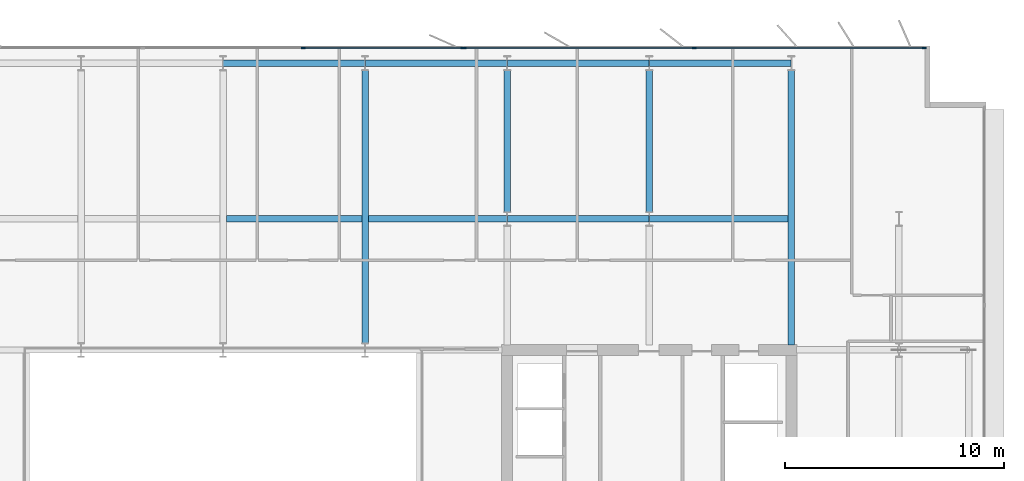
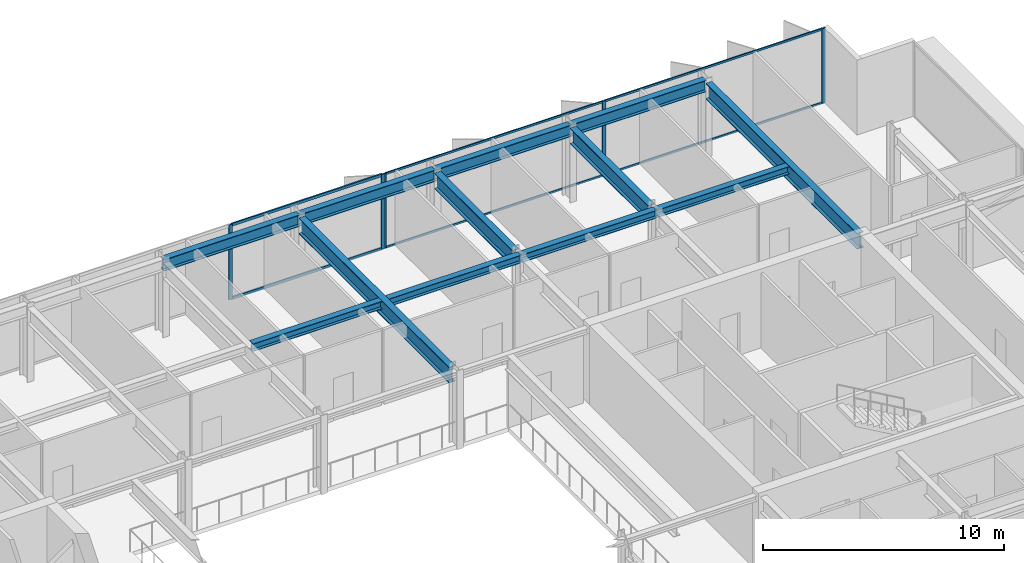
# One storey, part 9 of 20: 12 beams, 11 members, 2 elements without a shape of their own.
"""IFC4 building model written with IfcOpenShell, lengths in metres."""

from ifc_helpers import new_model, si_unit, direction, frame, origin, origin_2d, place, context, subcontext, project, spatial, rectangle, i_section, extrude, material, layer, layer_set, material_profile, profile_set, type_object, element, aggregate, save


model = new_model("IFC4")

# Units and contexts
model_context = context("Model", 3, precision=1e-05, world=origin(), true_north=direction((0.0, 1.0)))
body_context = subcontext(model_context, "Body", "Model", "MODEL_VIEW")
ifc_project = project(units=[si_unit("LENGTHUNIT", "METRE"), si_unit("AREAUNIT", "SQUARE_METRE"), si_unit("VOLUMEUNIT", "CUBIC_METRE"), si_unit("PLANEANGLEUNIT", "RADIAN"), si_unit("MASSUNIT", "GRAM", prefix="KILO")], contexts=[model_context])

# Site, building, storey
site_placement = place(None, origin())
site = spatial("IfcSite", under=ifc_project, at=site_placement, CompositionType="ELEMENT")
building_placement = place(site_placement, origin())
building = spatial("IfcBuilding", under=site, at=building_placement, Name="Putna Gate Headquarters", CompositionType="ELEMENT")
storey_placement = place(building_placement, frame((0.0, 0.0, 298.39990234375)))
storey = spatial("IfcBuildingStorey", under=building, at=storey_placement, Name="L75", CompositionType="ELEMENT", Elevation=298.39990234375)

# Beams
ifc_material_1 = material(Name="Steel S355J2", Category="steel")
ifc_material_profile_1 = material_profile(ifc_material_1, i_section(OverallWidth=0.300048828125, OverallDepth=0.800048828125, WebThickness=0.017578125, FlangeThickness=0.032958984375, at=origin_2d()), Name="Steel S355J2")
ifc_profile_set_1 = profile_set([ifc_material_profile_1], Name="Steel S355J2")
beam_type_1 = type_object("IfcBeamType", Name="BM-GIRD-P-HEB800", PredefinedType="USERDEFINED", material=ifc_profile_set_1)
beam_1_placement = place(storey_placement, frame((45.5, 33.322021484375, 3.38818359375), z_axis=(0.0, 1.0, 0.0), x_axis=(-1.0, 0.0, 0.0)))
element("IfcBeam", 1, at=beam_1_placement, inside=storey, type_object=beam_type_1, Name="L75 North Primary Girder X45", ObjectType="GIRDER", PredefinedType="USERDEFINED", context=body_context, shape_type="SweptSolid", body=[
    extrude(i_section(OverallWidth=0.300048828125, OverallDepth=0.800048828125, WebThickness=0.017578125, FlangeThickness=0.032958984375, at=origin_2d()), origin(), (0.0, 0.0, 1.0), 12.47607421875),
])
for number, where, z_axis, x_axis, name in (
    (2, (52.0, 39.322021484375, 3.38818359375), (0.0, 1.0, 0.0), (-1.0, 0.0, 0.0), "L75 North Primary Girder X52-2"),
    (3, (58.5, 39.322021484375, 3.38818359375), (0.0, 1.0, 0.0), (-1.0, 0.0, 0.0), "L75 North Primary Girder X58-2"),
):
    element("IfcBeam", number, at=place(storey_placement, frame(where, z_axis=z_axis, x_axis=x_axis)), inside=storey, type_object=beam_type_1, Name=name, ObjectType="GIRDER", PredefinedType="USERDEFINED", context=body_context, shape_type="SweptSolid", body=[
        extrude(i_section(OverallWidth=0.300048828125, OverallDepth=0.800048828125, WebThickness=0.017578125, FlangeThickness=0.032958984375, at=origin_2d()), origin(), (0.0, 0.0, 1.0), 6.47607421875),
    ])
beam_2_placement = place(storey_placement, frame((65.0, 33.235107421875, 3.38818359375), z_axis=(0.0, 1.0, 0.0), x_axis=(-1.0, 0.0, 0.0)))
element("IfcBeam", 4, at=beam_2_placement, inside=storey, type_object=beam_type_1, Name="L75 North Primary Girder X65", ObjectType="GIRDER", PredefinedType="USERDEFINED", context=body_context, shape_type="SweptSolid", body=[
    extrude(i_section(OverallWidth=0.300048828125, OverallDepth=0.800048828125, WebThickness=0.017578125, FlangeThickness=0.032958984375, at=origin_2d()), origin(), (0.0, 0.0, 1.0), 12.56298828125),
])
ifc_material_profile_2 = material_profile(ifc_material_1, i_section(OverallWidth=0.300048828125, OverallDepth=0.389892578125, WebThickness=0.010986328125, FlangeThickness=0.01904296875, at=origin_2d()), Name="Steel S355J2")
ifc_profile_set_2 = profile_set([ifc_material_profile_2], Name="Steel S355J2")
beam_type_2 = type_object("IfcBeamType", Name="BM-SEC-Z5-HEA400", PredefinedType="BEAM", material=ifc_profile_set_2)
beam_3_placement = place(storey_placement, frame((39.154052734375, 39.0, 3.593017578125), z_axis=(1.0, 0.0, 0.0), x_axis=(0.0, 1.0, 0.0)))
element("IfcBeam", 5, at=beam_3_placement, inside=storey, type_object=beam_type_2, Name="L75 North Secondary Beam 5", PredefinedType="BEAM", context=body_context, shape_type="SweptSolid", body=[
    extrude(i_section(OverallWidth=0.300048828125, OverallDepth=0.389892578125, WebThickness=0.010986328125, FlangeThickness=0.01904296875, at=origin_2d()), origin(), (0.0, 0.0, 1.0), 6.19189453125),
])
beam_4_placement = place(storey_placement, frame((45.654052734375, 39.0, 3.593017578125), z_axis=(1.0, 0.0, 0.0), x_axis=(0.0, 1.0, 0.0)))
element("IfcBeam", 6, at=beam_4_placement, inside=storey, type_object=beam_type_2, Name="L75 North Secondary Beam 6", PredefinedType="BEAM", context=body_context, shape_type="SweptSolid", body=[
    extrude(i_section(OverallWidth=0.300048828125, OverallDepth=0.389892578125, WebThickness=0.010986328125, FlangeThickness=0.01904296875, at=origin_2d()), origin(), (0.0, 0.0, 1.0), 6.33984375),
])
beam_5_placement = place(storey_placement, frame((52.006103515625, 39.0, 3.593017578125), z_axis=(1.0, 0.0, 0.0), x_axis=(0.0, 1.0, 0.0)))
element("IfcBeam", 7, at=beam_5_placement, inside=storey, type_object=beam_type_2, Name="L75 North Secondary Beam 7", PredefinedType="BEAM", context=body_context, shape_type="SweptSolid", body=[
    extrude(i_section(OverallWidth=0.300048828125, OverallDepth=0.389892578125, WebThickness=0.010986328125, FlangeThickness=0.01904296875, at=origin_2d()), origin(), (0.0, 0.0, 1.0), 6.48779296875),
])
beam_6_placement = place(storey_placement, frame((58.506103515625, 39.0, 3.593017578125), z_axis=(1.0, 0.0, 0.0), x_axis=(0.0, 1.0, 0.0)))
element("IfcBeam", 8, at=beam_6_placement, inside=storey, type_object=beam_type_2, Name="L75 North Secondary Beam 8", PredefinedType="BEAM", context=body_context, shape_type="SweptSolid", body=[
    extrude(i_section(OverallWidth=0.300048828125, OverallDepth=0.389892578125, WebThickness=0.010986328125, FlangeThickness=0.01904296875, at=origin_2d()), origin(), (0.0, 0.0, 1.0), 6.33984375),
])
ifc_material_profile_3 = material_profile(ifc_material_1, i_section(OverallWidth=0.300048828125, OverallDepth=0.590087890625, WebThickness=0.012939453125, FlangeThickness=0.02490234375, at=origin_2d()), Name="Steel S355J2")
ifc_profile_set_3 = profile_set([ifc_material_profile_3], Name="Steel S355J2")
beam_type_3 = type_object("IfcBeamType", Name="BM-SPAN-Z4-HEA600", PredefinedType="SPANDREL", material=ifc_profile_set_3)
for number, where, z_axis, x_axis, name in (
    (9, (39.006103515625, 46.1201171875, 3.4931640625), (1.0, 0.0, 0.0), (0.0, 1.0, 0.0), "L75 N Perimeter Spandrel 5"),
    (10, (45.506103515625, 46.1201171875, 3.4931640625), (1.0, 0.0, 0.0), (0.0, 1.0, 0.0), "L75 N Perimeter Spandrel 6"),
    (11, (52.006103515625, 46.1201171875, 3.4931640625), (1.0, 0.0, 0.0), (0.0, 1.0, 0.0), "L75 N Perimeter Spandrel 7"),
    (12, (58.506103515625, 46.1201171875, 3.4931640625), (1.0, 0.0, 0.0), (0.0, 1.0, 0.0), "L75 N Perimeter Spandrel 8"),
):
    element("IfcBeam", number, at=place(storey_placement, frame(where, z_axis=z_axis, x_axis=x_axis)), inside=storey, type_object=beam_type_3, Name=name, PredefinedType="SPANDREL", context=body_context, shape_type="SweptSolid", body=[
        extrude(i_section(OverallWidth=0.300048828125, OverallDepth=0.590087890625, WebThickness=0.012939453125, FlangeThickness=0.02490234375, at=origin_2d()), origin(), (0.0, 0.0, 1.0), 6.48779296875),
    ])

# Curtain wall, members
ifc_material_2 = material(Name="Anodised bronze aluminium curtain wall", Category="aluminium")
ifc_layer_1 = layer(ifc_material_2, 0.179931640625)
ifc_layer_set_1 = layer_set([ifc_layer_1], Name="Anodised bronze aluminium curtain wall")
curtain_wall_type_1 = type_object("IfcCurtainWallType", Name="CW-SYS-Z5", PredefinedType="USERDEFINED", material=ifc_layer_set_1)
curtain_wall_1_placement = place(storey_placement, origin())
curtain_wall_1 = element("IfcCurtainWall", 13, at=curtain_wall_1_placement, inside=storey, type_object=curtain_wall_type_1, Name="L75 North East Curtain Wall", ObjectType="STICK CURTAIN WALL", PredefinedType="USERDEFINED")
ifc_material_3 = material(Name="Anodised bronze aluminium EN AW-6060", Category="aluminium")
ifc_material_profile_4 = material_profile(ifc_material_3, rectangle(XDim=0.070068359375, YDim=0.179931640625, at=origin_2d()), Name="Anodised bronze aluminium EN AW-6060")
ifc_profile_set_4 = profile_set([ifc_material_profile_4], Name="Anodised bronze aluminium EN AW-6060")
member_type_1 = type_object("IfcMemberType", Name="MULL-CWM-5", PredefinedType="MULLION", material=ifc_profile_set_4)
member_1_placement = place(storey_placement, frame((50.034912109375, 46.820068359375, 0.0), z_axis=(0.0, 0.0, 1.0), x_axis=(0.0, 1.0, 0.0)))
member_1 = element("IfcMember", 14, at=member_1_placement, type_object=member_type_1, Name="CWS-5 mullion 1", PredefinedType="MULLION", context=body_context, shape_type="SweptSolid", body=[
    extrude(rectangle(XDim=0.070068359375, YDim=0.179931640625, at=origin_2d()), origin(), (0.0, 0.0, 1.0), 3.7880859375),
])
member_2_placement = place(storey_placement, frame((60.555419921875, 46.820068359375, 0.0), z_axis=(0.0, 0.0, 1.0), x_axis=(0.0, 1.0, 0.0)))
member_2 = element("IfcMember", 15, at=member_2_placement, type_object=member_type_1, Name="CWS-5 mullion 2", PredefinedType="MULLION", context=body_context, shape_type="SweptSolid", body=[
    extrude(rectangle(XDim=0.070068359375, YDim=0.179931640625, at=origin_2d()), origin(), (0.0, 0.0, 1.0), 3.7880859375),
])
member_3_placement = place(storey_placement, frame((71.075927734375, 46.820068359375, 0.0), z_axis=(0.0, 0.0, 1.0), x_axis=(0.0, 1.0, 0.0)))
member_3 = element("IfcMember", 16, at=member_3_placement, type_object=member_type_1, Name="CWS-5 mullion 3", PredefinedType="MULLION", context=body_context, shape_type="SweptSolid", body=[
    extrude(rectangle(XDim=0.070068359375, YDim=0.179931640625, at=origin_2d()), origin(), (0.0, 0.0, 1.0), 3.7880859375),
])

ifc_layer_2 = layer(ifc_material_2, 0.179931640625)
ifc_layer_set_2 = layer_set([ifc_layer_2], Name="Anodised bronze aluminium curtain wall")
curtain_wall_type_2 = type_object("IfcCurtainWallType", Name="CW-SYS-ATR", PredefinedType="USERDEFINED", material=ifc_layer_set_2)
curtain_wall_2_placement = place(storey_placement, origin())
curtain_wall_2 = element("IfcCurtainWall", 17, at=curtain_wall_2_placement, inside=storey, type_object=curtain_wall_type_2, Name="L75 North Atrium Clear Glazing", ObjectType="ATRIUM GLAZING", PredefinedType="USERDEFINED")
ifc_material_profile_5 = material_profile(ifc_material_3, rectangle(XDim=0.070068359375, YDim=0.179931640625, at=origin_2d()), Name="Anodised bronze aluminium EN AW-6060")
ifc_profile_set_5 = profile_set([ifc_material_profile_5], Name="Anodised bronze aluminium EN AW-6060")
member_type_2 = type_object("IfcMemberType", Name="MULL-CWM-AT", PredefinedType="MULLION", material=ifc_profile_set_5)
member_4_placement = place(storey_placement, frame((42.666748046875, 46.820068359375, 0.0), z_axis=(0.0, 0.0, 1.0), x_axis=(0.0, 1.0, 0.0)))
member_4 = element("IfcMember", 18, at=member_4_placement, type_object=member_type_2, Name="CWS-AT mullion 3", PredefinedType="MULLION", context=body_context, shape_type="SweptSolid", body=[
    extrude(rectangle(XDim=0.070068359375, YDim=0.179931640625, at=origin_2d()), origin(), (0.0, 0.0, 1.0), 3.7880859375),
])
member_5_placement = place(storey_placement, frame((49.965087890625, 46.820068359375, 0.0), z_axis=(0.0, 0.0, 1.0), x_axis=(0.0, 1.0, 0.0)))
member_5 = element("IfcMember", 19, at=member_5_placement, type_object=member_type_2, Name="CWS-AT mullion 4", PredefinedType="MULLION", context=body_context, shape_type="SweptSolid", body=[
    extrude(rectangle(XDim=0.070068359375, YDim=0.179931640625, at=origin_2d()), origin(), (0.0, 0.0, 1.0), 3.7880859375),
])

# Member
ifc_material_profile_6 = material_profile(ifc_material_3, rectangle(XDim=0.06005859375, YDim=0.10009765625, at=origin_2d()), Name="Anodised bronze aluminium EN AW-6060")
ifc_profile_set_6 = profile_set([ifc_material_profile_6], Name="Anodised bronze aluminium EN AW-6060")
member_type_3 = type_object("IfcMemberType", Name="TRAN-CWT-5", PredefinedType="USERDEFINED", material=ifc_profile_set_6)
member_6_placement = place(storey_placement, frame((50.070068359375, 46.820068359375, 0.030029296875), z_axis=(1.0, 0.0, 0.0), x_axis=(0.0, 1.0, 0.0)))
member_6 = element("IfcMember", 20, at=member_6_placement, type_object=member_type_3, Name="CWS-5 transom 1.1", ObjectType="TRANSOM", PredefinedType="USERDEFINED", context=body_context, shape_type="SweptSolid", body=[
    extrude(rectangle(XDim=0.06005859375, YDim=0.10009765625, at=origin_2d()), origin(), (0.0, 0.0, 1.0), 10.450439453125),
])

member_7_placement = place(storey_placement, frame((50.070068359375, 46.820068359375, 3.758056640625), z_axis=(1.0, 0.0, 0.0), x_axis=(0.0, 1.0, 0.0)))
member_7 = element("IfcMember", 21, at=member_7_placement, type_object=member_type_3, Name="CWS-5 transom 1.2", ObjectType="TRANSOM", PredefinedType="USERDEFINED", context=body_context, shape_type="SweptSolid", body=[
    extrude(rectangle(XDim=0.06005859375, YDim=0.10009765625, at=origin_2d()), origin(), (0.0, 0.0, 1.0), 10.450439453125),
])

member_8_placement = place(storey_placement, frame((60.590576171875, 46.820068359375, 0.030029296875), z_axis=(1.0, 0.0, 0.0), x_axis=(0.0, 1.0, 0.0)))
member_8 = element("IfcMember", 22, at=member_8_placement, type_object=member_type_3, Name="CWS-5 transom 2.1", ObjectType="TRANSOM", PredefinedType="USERDEFINED", context=body_context, shape_type="SweptSolid", body=[
    extrude(rectangle(XDim=0.06005859375, YDim=0.10009765625, at=origin_2d()), origin(), (0.0, 0.0, 1.0), 10.450439453125),
])

member_9_placement = place(storey_placement, frame((60.590576171875, 46.820068359375, 3.758056640625), z_axis=(1.0, 0.0, 0.0), x_axis=(0.0, 1.0, 0.0)))
member_9 = element("IfcMember", 23, at=member_9_placement, type_object=member_type_3, Name="CWS-5 transom 2.2", ObjectType="TRANSOM", PredefinedType="USERDEFINED", context=body_context, shape_type="SweptSolid", body=[
    extrude(rectangle(XDim=0.06005859375, YDim=0.10009765625, at=origin_2d()), origin(), (0.0, 0.0, 1.0), 10.450439453125),
])

aggregate(curtain_wall_1, [member_1, member_2, member_3, member_6, member_7, member_8, member_9])

ifc_material_profile_7 = material_profile(ifc_material_3, rectangle(XDim=0.070068359375, YDim=0.139892578125, at=origin_2d()), Name="Anodised bronze aluminium EN AW-6060")
ifc_profile_set_7 = profile_set([ifc_material_profile_7], Name="Anodised bronze aluminium EN AW-6060")
member_type_4 = type_object("IfcMemberType", Name="TRAN-CWT-AT", PredefinedType="USERDEFINED", material=ifc_profile_set_7)
member_10_placement = place(storey_placement, frame((42.70166015625, 46.820068359375, 0.03515625), z_axis=(1.0, 0.0, 0.0), x_axis=(0.0, 1.0, 0.0)))
member_10 = element("IfcMember", 24, at=member_10_placement, type_object=member_type_4, Name="CWS-AT transom 3.1", ObjectType="TRANSOM", PredefinedType="USERDEFINED", context=body_context, shape_type="SweptSolid", body=[
    extrude(rectangle(XDim=0.070068359375, YDim=0.139892578125, at=origin_2d()), origin(), (0.0, 0.0, 1.0), 7.228271484375),
])

member_11_placement = place(storey_placement, frame((42.70166015625, 46.820068359375, 3.753173828125), z_axis=(1.0, 0.0, 0.0), x_axis=(0.0, 1.0, 0.0)))
member_11 = element("IfcMember", 25, at=member_11_placement, type_object=member_type_4, Name="CWS-AT transom 3.2", ObjectType="TRANSOM", PredefinedType="USERDEFINED", context=body_context, shape_type="SweptSolid", body=[
    extrude(rectangle(XDim=0.070068359375, YDim=0.139892578125, at=origin_2d()), origin(), (0.0, 0.0, 1.0), 7.228271484375),
])

aggregate(curtain_wall_2, [member_4, member_5, member_10, member_11])

save(model, "model.ifc")
